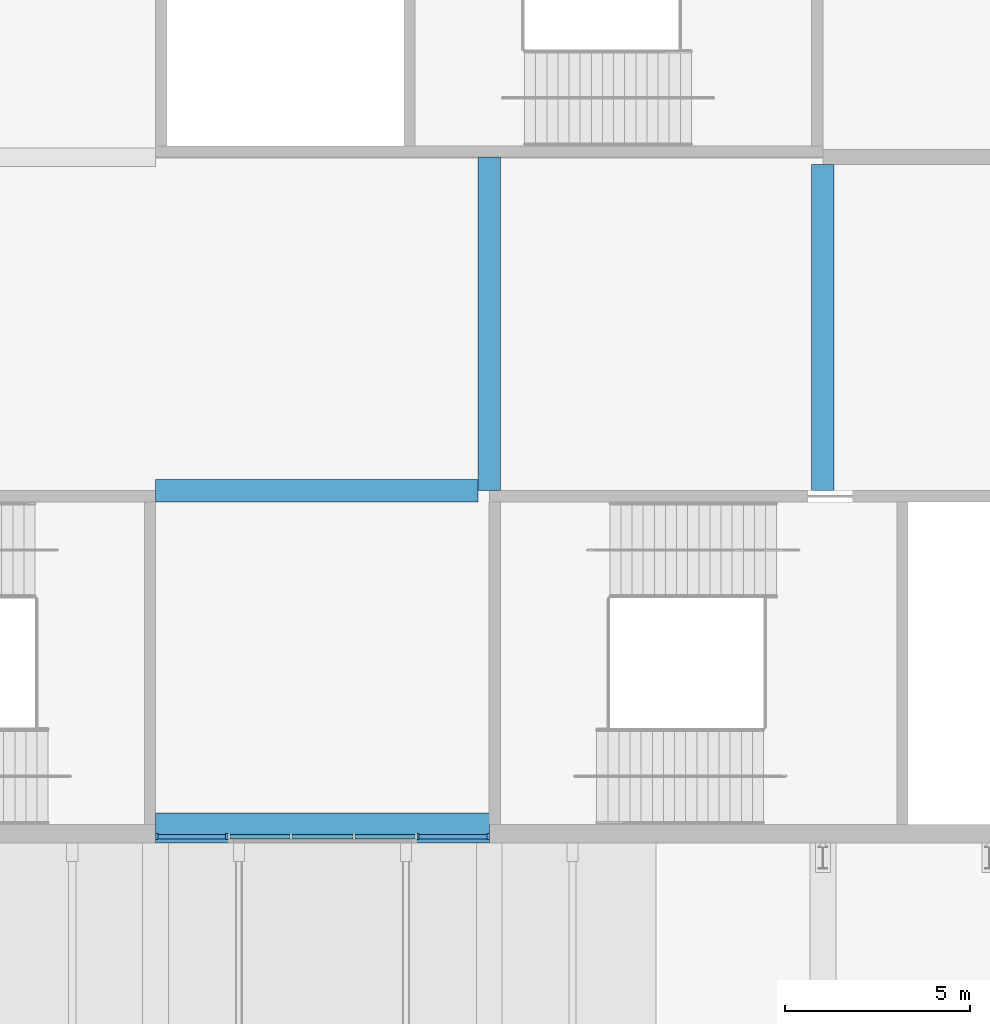
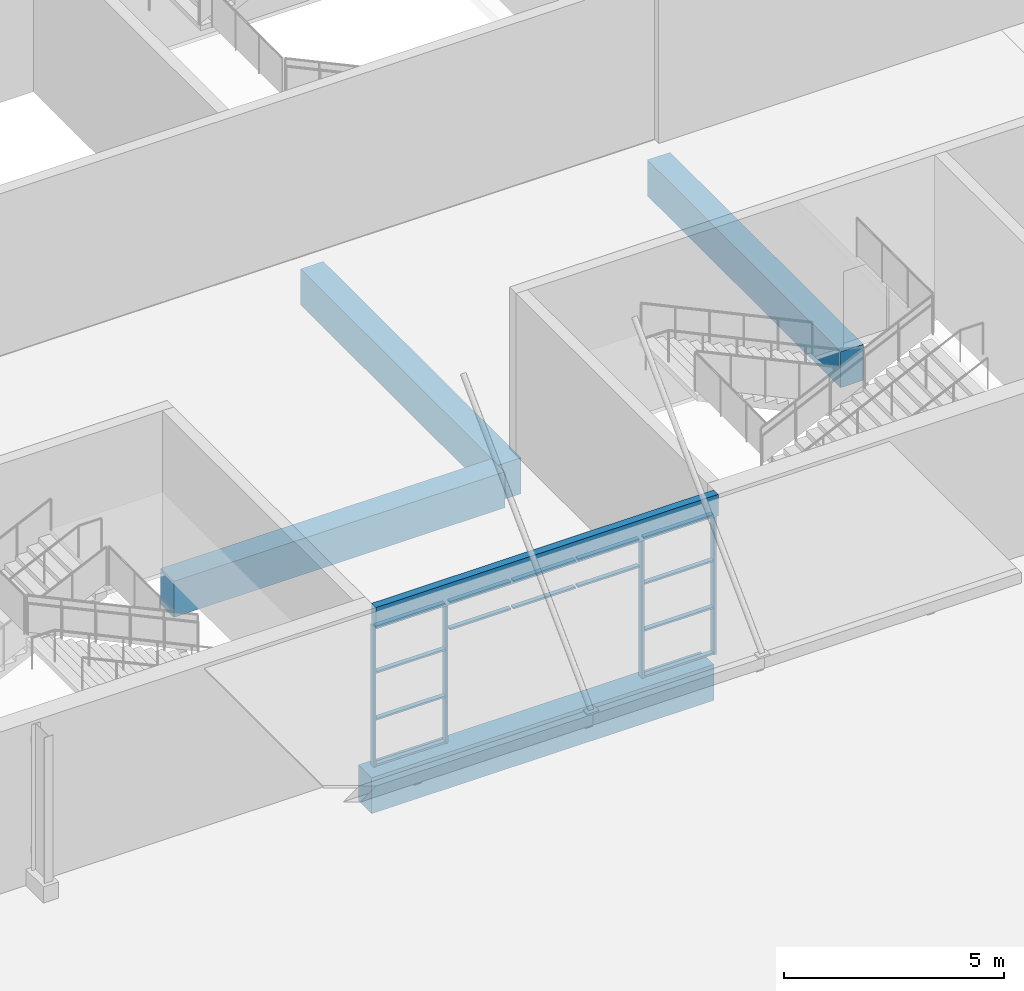
# One storey, part 27 of 168: 18 members, 5 beams, 3 elements without a shape of their own.
"""IFC4 building model written with IfcOpenShell, lengths in metres."""

from ifc_helpers import new_model, si_unit, direction, frame, origin, origin_2d, place, context, subcontext, project, spatial, rectangle, extrude, material, material_profile, profile_set, type_object, element, aggregate, save


model = new_model("IFC4")

# Units and contexts
model_context = context("Model", 3, precision=1e-05, world=origin(), true_north=direction((0.0, 1.0)))
body_context = subcontext(model_context, "Body", "Model", "MODEL_VIEW")
ifc_project = project(units=[si_unit("LENGTHUNIT", "METRE"), si_unit("AREAUNIT", "SQUARE_METRE"), si_unit("VOLUMEUNIT", "CUBIC_METRE"), si_unit("PLANEANGLEUNIT", "RADIAN"), si_unit("MASSUNIT", "GRAM", prefix="KILO")], contexts=[model_context])

# Site, building, storey
site_placement = place(None, origin())
site = spatial("IfcSite", under=ifc_project, at=site_placement, CompositionType="ELEMENT")
building_placement = place(site_placement, origin())
building = spatial("IfcBuilding", under=site, at=building_placement, Name="Silverbay Arena", CompositionType="ELEMENT")
storey_placement = place(building_placement, frame((0.0, 0.0, 7.0)))
storey = spatial("IfcBuildingStorey", under=building, at=storey_placement, Name="L01", CompositionType="ELEMENT", Elevation=7.0)

# Curtain wall, members
ifc_material_1 = material(Name="Aluminium framed curtain wall", Category="aluminium")
curtain_wall_type_1 = type_object("IfcCurtainWallType", Name="Curtain wall 1950 x 3900", PredefinedType="NOTDEFINED", material=ifc_material_1)
curtain_wall_1_placement = place(storey_placement, origin())
curtain_wall_1 = element("IfcCurtainWall", 1, at=curtain_wall_1_placement, inside=storey, type_object=curtain_wall_type_1, Name="South curtain wall L01 bay 6", PredefinedType="NOTDEFINED")
ifc_material_2 = material(Name="Aluminium", Category="aluminium")
ifc_material_profile_1 = material_profile(ifc_material_2, rectangle(XDim=0.159912109375, YDim=0.06005859375, at=origin_2d()), Name="Mullion 60 x 160")
ifc_profile_set_1 = profile_set([ifc_material_profile_1], Name="Aluminium")
member_type_1 = type_object("IfcMemberType", Name="Mullion 60 x 160", PredefinedType="MULLION", material=ifc_profile_set_1)
member_1_placement = place(storey_placement, frame((72.030029296875, 17.669921875, 0.0), z_axis=(0.0, 0.0, 1.0), x_axis=(0.0, 1.0, 0.0)))
member_1 = element("IfcMember", 2, at=member_1_placement, type_object=member_type_1, Name="CW2 mullion 1", PredefinedType="MULLION", context=body_context, shape_type="SweptSolid", body=[
    extrude(rectangle(XDim=0.159912109375, YDim=0.06005859375, at=origin_2d()), origin(), (0.0, 0.0, 1.0), 3.89990234375),
])
member_2_placement = place(storey_placement, frame((73.919921875, 17.669921875, 0.0), z_axis=(0.0, 0.0, 1.0), x_axis=(0.0, 1.0, 0.0)))
member_2 = element("IfcMember", 3, at=member_2_placement, type_object=member_type_1, Name="CW2 mullion 2", PredefinedType="MULLION", context=body_context, shape_type="SweptSolid", body=[
    extrude(rectangle(XDim=0.159912109375, YDim=0.06005859375, at=origin_2d()), origin(), (0.0, 0.0, 1.0), 3.89990234375),
])

curtain_wall_2_placement = place(storey_placement, origin())
curtain_wall_2 = element("IfcCurtainWall", 4, at=curtain_wall_2_placement, inside=storey, type_object=curtain_wall_type_1, Name="South curtain wall L01 bay 6", PredefinedType="NOTDEFINED")
member_3_placement = place(storey_placement, frame((79.080078125, 17.669921875, 0.0), z_axis=(0.0, 0.0, 1.0), x_axis=(0.0, 1.0, 0.0)))
member_3 = element("IfcMember", 5, at=member_3_placement, type_object=member_type_1, Name="CW2 mullion 1", PredefinedType="MULLION", context=body_context, shape_type="SweptSolid", body=[
    extrude(rectangle(XDim=0.159912109375, YDim=0.06005859375, at=origin_2d()), origin(), (0.0, 0.0, 1.0), 3.89990234375),
])
member_4_placement = place(storey_placement, frame((80.969970703125, 17.669921875, 0.0), z_axis=(0.0, 0.0, 1.0), x_axis=(0.0, 1.0, 0.0)))
member_4 = element("IfcMember", 6, at=member_4_placement, type_object=member_type_1, Name="CW2 mullion 2", PredefinedType="MULLION", context=body_context, shape_type="SweptSolid", body=[
    extrude(rectangle(XDim=0.159912109375, YDim=0.06005859375, at=origin_2d()), origin(), (0.0, 0.0, 1.0), 3.89990234375),
])

# Beams
ifc_material_3 = material(Name="Concrete Grade C45", Category="concrete")
ifc_material_profile_2 = material_profile(ifc_material_3, rectangle(XDim=0.60009765625, YDim=1.0, at=origin_2d()), Name="RC 600x1000")
ifc_profile_set_2 = profile_set([ifc_material_profile_2], Name="Concrete Grade C45")
beam_type_1 = type_object("IfcBeamType", Name="RC beam 600x1000", PredefinedType="BEAM", material=ifc_profile_set_2)
beam_1_placement = place(storey_placement, frame((72.0, 18.0, -0.85009765625), z_axis=(1.0, 0.0, 0.0), x_axis=(0.0, 1.0, 0.0)))
element("IfcBeam", 7, at=beam_1_placement, inside=storey, type_object=beam_type_1, Name="Floor beam L01 003", PredefinedType="BEAM", context=body_context, shape_type="SweptSolid", body=[
    extrude(rectangle(XDim=0.60009765625, YDim=1.0, at=origin_2d()), origin(), (0.0, 0.0, 1.0), 9.0),
])
beam_2_placement = place(storey_placement, frame((72.0, 27.0, -0.85009765625), z_axis=(1.0, 0.0, 0.0), x_axis=(0.0, 1.0, 0.0)))
element("IfcBeam", 8, at=beam_2_placement, inside=storey, type_object=beam_type_1, Name="Floor beam L01 012", PredefinedType="BEAM", context=body_context, shape_type="SweptSolid", body=[
    extrude(rectangle(XDim=0.60009765625, YDim=1.0, at=origin_2d()), origin(), (0.0, 0.0, 1.0), 8.699951171875),
])
beam_3_placement = place(storey_placement, frame((81.0, 27.0, -0.85009765625), z_axis=(0.0, 1.0, 0.0), x_axis=(-1.0, 0.0, 0.0)))
element("IfcBeam", 9, at=beam_3_placement, inside=storey, type_object=beam_type_1, Name="Floor beam L01 231", PredefinedType="BEAM", context=body_context, shape_type="SweptSolid", body=[
    extrude(rectangle(XDim=0.60009765625, YDim=1.0, at=origin_2d()), origin(), (0.0, 0.0, 1.0), 9.0),
])
beam_4_placement = place(storey_placement, frame((90.0, 27.0, -0.85009765625), z_axis=(0.0, 1.0, 0.0), x_axis=(-1.0, 0.0, 0.0)))
element("IfcBeam", 10, at=beam_4_placement, inside=storey, type_object=beam_type_1, Name="Floor beam L01 237", PredefinedType="BEAM", context=body_context, shape_type="SweptSolid", body=[
    extrude(rectangle(XDim=0.60009765625, YDim=1.0, at=origin_2d()), origin(), (0.0, 0.0, 1.0), 8.800048828125),
])
ifc_material_4 = material(Name="Concrete Grade C45", Category="concrete")
ifc_material_profile_3 = material_profile(ifc_material_4, rectangle(XDim=0.199951171875, YDim=0.60009765625, at=origin_2d()), Name="RC 200x600")
ifc_profile_set_3 = profile_set([ifc_material_profile_3], Name="Concrete Grade C45")
beam_type_2 = type_object("IfcBeamType", Name="RC facade beam 200x600", PredefinedType="SPANDREL", material=ifc_profile_set_3)
beam_5_placement = place(storey_placement, frame((72.0, 17.60009765625, 4.199951171875), z_axis=(1.0, 0.0, 0.0), x_axis=(0.0, 1.0, 0.0)))
element("IfcBeam", 11, at=beam_5_placement, inside=storey, type_object=beam_type_2, Name="Facade beam L01 south", PredefinedType="SPANDREL", context=body_context, shape_type="SweptSolid", body=[
    extrude(rectangle(XDim=0.199951171875, YDim=0.60009765625, at=origin_2d()), origin(), (0.0, 0.0, 1.0), 9.0),
])

# Member
ifc_material_5 = material(Name="Aluminium", Category="aluminium")
ifc_material_profile_4 = material_profile(ifc_material_5, rectangle(XDim=0.1201171875, YDim=0.050048828125, at=origin_2d()), Name="Transom 50 x 120")
ifc_profile_set_4 = profile_set([ifc_material_profile_4], Name="Aluminium")
member_type_2 = type_object("IfcMemberType", Name="Transom 50 x 120", PredefinedType="USERDEFINED", material=ifc_profile_set_4)
member_5_placement = place(storey_placement, frame((72.06005859375, 17.669921875, 0.02490234375), z_axis=(1.0, 0.0, 0.0), x_axis=(0.0, 1.0, 0.0)))
member_5 = element("IfcMember", 12, at=member_5_placement, type_object=member_type_2, Name="CW2 transom 1.1", ObjectType="TRANSOM", PredefinedType="USERDEFINED", context=body_context, shape_type="SweptSolid", body=[
    extrude(rectangle(XDim=0.1201171875, YDim=0.050048828125, at=origin_2d()), origin(), (0.0, 0.0, 1.0), 1.829833984375),
])

member_6_placement = place(storey_placement, frame((72.06005859375, 17.669921875, 1.300048828125), z_axis=(1.0, 0.0, 0.0), x_axis=(0.0, 1.0, 0.0)))
member_6 = element("IfcMember", 13, at=member_6_placement, type_object=member_type_2, Name="CW2 transom 1.2", ObjectType="TRANSOM", PredefinedType="USERDEFINED", context=body_context, shape_type="SweptSolid", body=[
    extrude(rectangle(XDim=0.1201171875, YDim=0.050048828125, at=origin_2d()), origin(), (0.0, 0.0, 1.0), 1.829833984375),
])

member_7_placement = place(storey_placement, frame((72.06005859375, 17.669921875, 2.60009765625), z_axis=(1.0, 0.0, 0.0), x_axis=(0.0, 1.0, 0.0)))
member_7 = element("IfcMember", 14, at=member_7_placement, type_object=member_type_2, Name="CW2 transom 1.3", ObjectType="TRANSOM", PredefinedType="USERDEFINED", context=body_context, shape_type="SweptSolid", body=[
    extrude(rectangle(XDim=0.1201171875, YDim=0.050048828125, at=origin_2d()), origin(), (0.0, 0.0, 1.0), 1.829833984375),
])

member_8_placement = place(storey_placement, frame((72.06005859375, 17.669921875, 3.875), z_axis=(1.0, 0.0, 0.0), x_axis=(0.0, 1.0, 0.0)))
member_8 = element("IfcMember", 15, at=member_8_placement, type_object=member_type_2, Name="CW2 transom 1.4", ObjectType="TRANSOM", PredefinedType="USERDEFINED", context=body_context, shape_type="SweptSolid", body=[
    extrude(rectangle(XDim=0.1201171875, YDim=0.050048828125, at=origin_2d()), origin(), (0.0, 0.0, 1.0), 1.829833984375),
])

aggregate(curtain_wall_1, [member_1, member_2, member_5, member_6, member_7, member_8])

member_9_placement = place(storey_placement, frame((79.110107421875, 17.669921875, 0.02490234375), z_axis=(1.0, 0.0, 0.0), x_axis=(0.0, 1.0, 0.0)))
member_9 = element("IfcMember", 16, at=member_9_placement, type_object=member_type_2, Name="CW2 transom 1.1", ObjectType="TRANSOM", PredefinedType="USERDEFINED", context=body_context, shape_type="SweptSolid", body=[
    extrude(rectangle(XDim=0.1201171875, YDim=0.050048828125, at=origin_2d()), origin(), (0.0, 0.0, 1.0), 1.829833984375),
])

member_10_placement = place(storey_placement, frame((79.110107421875, 17.669921875, 1.300048828125), z_axis=(1.0, 0.0, 0.0), x_axis=(0.0, 1.0, 0.0)))
member_10 = element("IfcMember", 17, at=member_10_placement, type_object=member_type_2, Name="CW2 transom 1.2", ObjectType="TRANSOM", PredefinedType="USERDEFINED", context=body_context, shape_type="SweptSolid", body=[
    extrude(rectangle(XDim=0.1201171875, YDim=0.050048828125, at=origin_2d()), origin(), (0.0, 0.0, 1.0), 1.829833984375),
])

member_11_placement = place(storey_placement, frame((79.110107421875, 17.669921875, 2.60009765625), z_axis=(1.0, 0.0, 0.0), x_axis=(0.0, 1.0, 0.0)))
member_11 = element("IfcMember", 18, at=member_11_placement, type_object=member_type_2, Name="CW2 transom 1.3", ObjectType="TRANSOM", PredefinedType="USERDEFINED", context=body_context, shape_type="SweptSolid", body=[
    extrude(rectangle(XDim=0.1201171875, YDim=0.050048828125, at=origin_2d()), origin(), (0.0, 0.0, 1.0), 1.829833984375),
])

member_12_placement = place(storey_placement, frame((79.110107421875, 17.669921875, 3.875), z_axis=(1.0, 0.0, 0.0), x_axis=(0.0, 1.0, 0.0)))
member_12 = element("IfcMember", 19, at=member_12_placement, type_object=member_type_2, Name="CW2 transom 1.4", ObjectType="TRANSOM", PredefinedType="USERDEFINED", context=body_context, shape_type="SweptSolid", body=[
    extrude(rectangle(XDim=0.1201171875, YDim=0.050048828125, at=origin_2d()), origin(), (0.0, 0.0, 1.0), 1.829833984375),
])

aggregate(curtain_wall_2, [member_3, member_4, member_9, member_10, member_11, member_12])

# Curtain wall, members
ifc_material_6 = material(Name="Aluminium framed curtain wall", Category="aluminium")
curtain_wall_type_2 = type_object("IfcCurtainWallType", Name="Curtain wall 5100 x 800", PredefinedType="NOTDEFINED", material=ifc_material_6)
curtain_wall_3_placement = place(storey_placement, origin())
curtain_wall_3 = element("IfcCurtainWall", 20, at=curtain_wall_3_placement, inside=storey, type_object=curtain_wall_type_2, Name="South curtain wall L01 bay 6", PredefinedType="NOTDEFINED")
member_13_placement = place(storey_placement, frame((74.010009765625, 17.669921875, 3.125), z_axis=(1.0, 0.0, 0.0), x_axis=(0.0, 1.0, 0.0)))
member_13 = element("IfcMember", 21, at=member_13_placement, type_object=member_type_2, Name="CW3 transom 1.1", ObjectType="TRANSOM", PredefinedType="USERDEFINED", context=body_context, shape_type="SweptSolid", body=[
    extrude(rectangle(XDim=0.1201171875, YDim=0.050048828125, at=origin_2d()), origin(), (0.0, 0.0, 1.0), 1.610107421875),
])
member_14_placement = place(storey_placement, frame((74.010009765625, 17.669921875, 3.875), z_axis=(1.0, 0.0, 0.0), x_axis=(0.0, 1.0, 0.0)))
member_14 = element("IfcMember", 22, at=member_14_placement, type_object=member_type_2, Name="CW3 transom 1.2", ObjectType="TRANSOM", PredefinedType="USERDEFINED", context=body_context, shape_type="SweptSolid", body=[
    extrude(rectangle(XDim=0.1201171875, YDim=0.050048828125, at=origin_2d()), origin(), (0.0, 0.0, 1.0), 1.610107421875),
])
member_15_placement = place(storey_placement, frame((75.679931640625, 17.669921875, 3.125), z_axis=(1.0, 0.0, 0.0), x_axis=(0.0, 1.0, 0.0)))
member_15 = element("IfcMember", 23, at=member_15_placement, type_object=member_type_2, Name="CW3 transom 2.1", ObjectType="TRANSOM", PredefinedType="USERDEFINED", context=body_context, shape_type="SweptSolid", body=[
    extrude(rectangle(XDim=0.1201171875, YDim=0.050048828125, at=origin_2d()), origin(), (0.0, 0.0, 1.0), 1.64013671875),
])
member_16_placement = place(storey_placement, frame((75.679931640625, 17.669921875, 3.875), z_axis=(1.0, 0.0, 0.0), x_axis=(0.0, 1.0, 0.0)))
member_16 = element("IfcMember", 24, at=member_16_placement, type_object=member_type_2, Name="CW3 transom 2.2", ObjectType="TRANSOM", PredefinedType="USERDEFINED", context=body_context, shape_type="SweptSolid", body=[
    extrude(rectangle(XDim=0.1201171875, YDim=0.050048828125, at=origin_2d()), origin(), (0.0, 0.0, 1.0), 1.64013671875),
])
member_17_placement = place(storey_placement, frame((77.3798828125, 17.669921875, 3.125), z_axis=(1.0, 0.0, 0.0), x_axis=(0.0, 1.0, 0.0)))
member_17 = element("IfcMember", 25, at=member_17_placement, type_object=member_type_2, Name="CW3 transom 3.1", ObjectType="TRANSOM", PredefinedType="USERDEFINED", context=body_context, shape_type="SweptSolid", body=[
    extrude(rectangle(XDim=0.1201171875, YDim=0.050048828125, at=origin_2d()), origin(), (0.0, 0.0, 1.0), 1.610107421875),
])
member_18_placement = place(storey_placement, frame((77.3798828125, 17.669921875, 3.875), z_axis=(1.0, 0.0, 0.0), x_axis=(0.0, 1.0, 0.0)))
member_18 = element("IfcMember", 26, at=member_18_placement, type_object=member_type_2, Name="CW3 transom 3.2", ObjectType="TRANSOM", PredefinedType="USERDEFINED", context=body_context, shape_type="SweptSolid", body=[
    extrude(rectangle(XDim=0.1201171875, YDim=0.050048828125, at=origin_2d()), origin(), (0.0, 0.0, 1.0), 1.610107421875),
])
aggregate(curtain_wall_3, [member_13, member_14, member_15, member_16, member_17, member_18])

save(model, "model.ifc")
